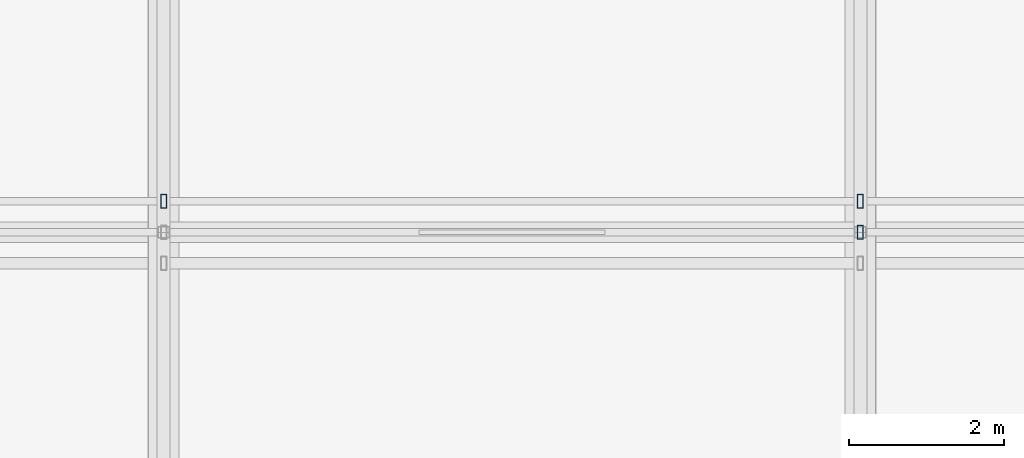
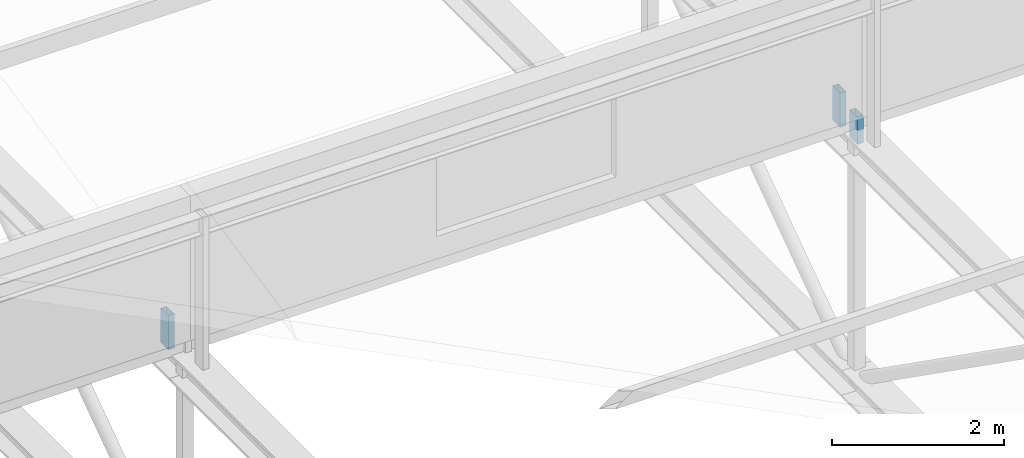
# One storey, part 80 of 136: 3 members.
"""IFC4 building model written with IfcOpenShell, lengths in metres."""

from ifc_helpers import new_model, si_unit, direction, frame, origin, origin_2d, place, context, subcontext, project, spatial, hollow_rectangle, extrude, material, material_profile, profile_set, type_object, element, save


model = new_model("IFC4")

# Units and contexts
model_context = context("Model", 3, precision=1e-05, world=origin(), true_north=direction((0.0, 1.0)))
body_context = subcontext(model_context, "Body", "Model", "MODEL_VIEW")
ifc_project = project(units=[si_unit("LENGTHUNIT", "METRE"), si_unit("AREAUNIT", "SQUARE_METRE"), si_unit("VOLUMEUNIT", "CUBIC_METRE"), si_unit("PLANEANGLEUNIT", "RADIAN"), si_unit("MASSUNIT", "GRAM", prefix="KILO")], contexts=[model_context])

# Site, building, storey
site_placement = place(None, origin())
site = spatial("IfcSite", under=ifc_project, at=site_placement, CompositionType="ELEMENT")
building_placement = place(site_placement, origin())
building = spatial("IfcBuilding", under=site, at=building_placement, Name="Kisiwana Market Hall", CompositionType="ELEMENT")
storey_placement = place(building_placement, frame((0.0, 0.0, 16.800048828125)))
storey = spatial("IfcBuildingStorey", under=building, at=storey_placement, Name="L03", CompositionType="ELEMENT", Elevation=16.800048828125)

# Members
ifc_material = material(Name="Steel S355", Category="steel")
ifc_material_profile = material_profile(ifc_material, hollow_rectangle(XDim=0.080078125, YDim=0.179931640625, WallThickness=0.00634765625, at=origin_2d()), Name="RHS 180x80x6.3")
ifc_profile_set = profile_set([ifc_material_profile], Name="Steel S355")
member_type = type_object("IfcMemberType", Name="MB-CAN-STRUT", PredefinedType="STRUT", material=ifc_profile_set)
member_placement = place(storey_placement, frame((90.0, 55.199951171875, 3.619873046875), z_axis=(0.0, 0.0, 1.0), x_axis=(1.0, 0.0, 0.0)))
element("IfcMember", 1, at=member_placement, inside=storey, type_object=member_type, Name="Sawtooth raker post 209 M-0259", PredefinedType="STRUT", context=body_context, shape_type="SweptSolid", body=[
    extrude(hollow_rectangle(XDim=0.080078125, YDim=0.179931640625, WallThickness=0.00634765625, at=origin_2d()), origin(), (0.0, 0.0, 1.0), 0.385009765625),
])
for number, where, z_axis, x_axis, name in (
    (2, (81.0, 55.60009765625, 3.619873046875), (0.0, 0.0, 1.0), (1.0, 0.0, 0.0), "Sawtooth raker post 249 M-0278"),
    (3, (90.0, 55.60009765625, 3.619873046875), (0.0, 0.0, 1.0), (1.0, 0.0, 0.0), "Sawtooth raker post 252 M-0281"),
):
    element("IfcMember", number, at=place(storey_placement, frame(where, z_axis=z_axis, x_axis=x_axis)), inside=storey, type_object=member_type, Name=name, PredefinedType="STRUT", context=body_context, shape_type="SweptSolid", body=[
        extrude(hollow_rectangle(XDim=0.080078125, YDim=0.179931640625, WallThickness=0.00634765625, at=origin_2d()), origin(), (0.0, 0.0, 1.0), 0.485107421875),
    ])

save(model, "model.ifc")
